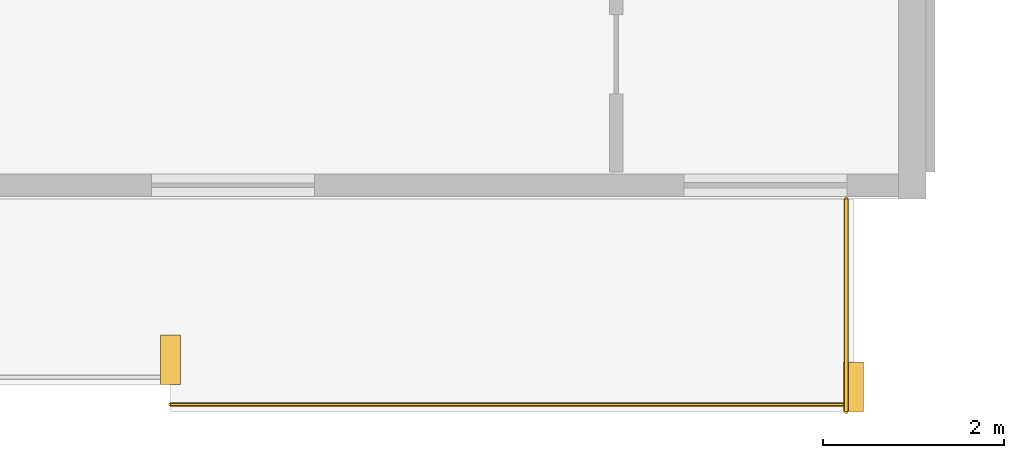
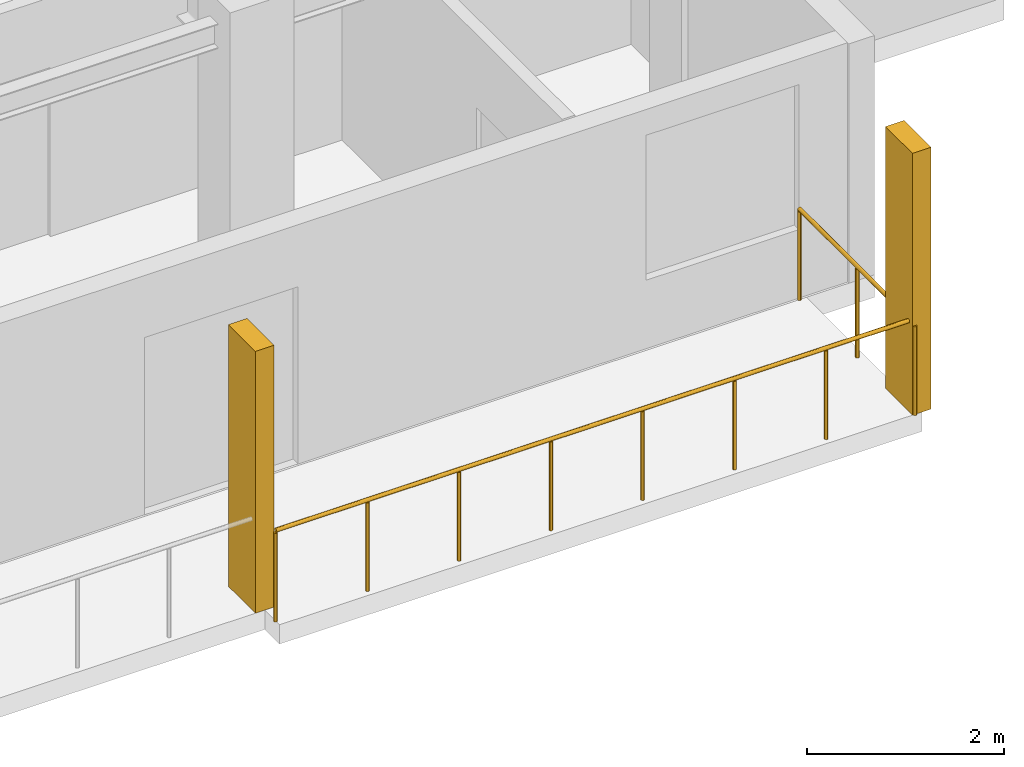
# One storey, part 19 of 21: 2 railings, 2 shading devices.
"""IFC4 building model written with IfcOpenShell, lengths in metres."""

from ifc_helpers import new_model, si_unit, direction, frame, origin, origin_2d, place, context, subcontext, project, spatial, rectangle, circle, extrude, material, type_object, element, save


model = new_model("IFC4")

# Units and contexts
model_context = context("Model", 3, precision=1e-05, world=origin(), true_north=direction((0.0, 1.0)))
body_context = subcontext(model_context, "Body", "Model", "MODEL_VIEW")
ifc_project = project(units=[si_unit("LENGTHUNIT", "METRE"), si_unit("AREAUNIT", "SQUARE_METRE"), si_unit("VOLUMEUNIT", "CUBIC_METRE"), si_unit("PLANEANGLEUNIT", "RADIAN"), si_unit("MASSUNIT", "GRAM", prefix="KILO")], contexts=[model_context])

# Site, building, storey
site_placement = place(None, origin())
site = spatial("IfcSite", under=ifc_project, at=site_placement, CompositionType="ELEMENT")
building_placement = place(site_placement, origin())
building = spatial("IfcBuilding", under=site, at=building_placement, Name="Korimba Cascade Residences", CompositionType="ELEMENT")
storey_placement = place(building_placement, frame((0.0, 0.0, 171.85009765625)))
storey = spatial("IfcBuildingStorey", under=building, at=storey_placement, Name="L49", CompositionType="ELEMENT", Elevation=171.85009765625)

# Railings
ifc_material_1 = material(Name="Laminated Glass and Bronze Balustrade", Category="glass")
railing_type = type_object("IfcRailingType", Name="RLG-LOG-1150", PredefinedType="BALUSTRADE", material=ifc_material_1)
railing_1_placement = place(storey_placement, frame((120.55712890625, -10.070068359375, 0.0)))
element("IfcRailing", 1, at=railing_1_placement, inside=storey, type_object=railing_type, Name="L49 Perimeter Guardrail RLG-L49-T2-LOG-06", PredefinedType="BALUSTRADE", context=body_context, shape_type="SweptSolid", body=[
    extrude(circle(Radius=0.02392578125, at=origin_2d()), frame((0.0, 0.0, 1.1259765625), z_axis=(1.0, 0.0, 0.0), x_axis=(0.0, 1.0, 0.0)), (0.0, 0.0, 1.0), 7.54296875),
    extrude(circle(Radius=0.02099609375, at=origin_2d()), origin(), (0.0, 0.0, 1.0), 1.101806640625),
    extrude(circle(Radius=0.02099609375, at=origin_2d()), frame((1.07763671875, 0.0, 0.0)), (0.0, 0.0, 1.0), 1.101806640625),
    extrude(circle(Radius=0.02099609375, at=origin_2d()), frame((2.155029296875, 0.0, 0.0)), (0.0, 0.0, 1.0), 1.101806640625),
    extrude(circle(Radius=0.02099609375, at=origin_2d()), frame((3.232666015625, 0.0, 0.0)), (0.0, 0.0, 1.0), 1.101806640625),
    extrude(circle(Radius=0.02099609375, at=origin_2d()), frame((4.310302734375, 0.0, 0.0)), (0.0, 0.0, 1.0), 1.101806640625),
    extrude(circle(Radius=0.02099609375, at=origin_2d()), frame((5.387939453125, 0.0, 0.0)), (0.0, 0.0, 1.0), 1.101806640625),
    extrude(circle(Radius=0.02099609375, at=origin_2d()), frame((6.46533203125, 0.0, 0.0)), (0.0, 0.0, 1.0), 1.101806640625),
    extrude(circle(Radius=0.02099609375, at=origin_2d()), frame((7.54296875, 0.0, 0.0)), (0.0, 0.0, 1.0), 1.101806640625),
])
railing_2_placement = place(storey_placement, frame((128.02001953125, -10.14990234375, 0.0)))
element("IfcRailing", 2, at=railing_2_placement, inside=storey, type_object=railing_type, Name="L49 Perimeter Guardrail RLG-L49-T2-LOG-07", PredefinedType="BALUSTRADE", context=body_context, shape_type="SweptSolid", body=[
    extrude(circle(Radius=0.02392578125, at=origin_2d()), frame((0.0, 0.0, 1.1259765625), z_axis=(0.0, 1.0, 0.0), x_axis=(-1.0, 0.0, 0.0)), (0.0, 0.0, 1.0), 2.349853515625),
    extrude(circle(Radius=0.02099609375, at=origin_2d()), origin(), (0.0, 0.0, 1.0), 1.101806640625),
    extrude(circle(Radius=0.02099609375, at=origin_2d()), frame((0.0, 1.1748046875, 0.0)), (0.0, 0.0, 1.0), 1.101806640625),
    extrude(circle(Radius=0.02099609375, at=origin_2d()), frame((0.0, 2.349853515625, 0.0)), (0.0, 0.0, 1.0), 1.101806640625),
])

# Shading devices
ifc_material_2 = material(Name="Honed Sandstone Precast Fin", Category="masonry")
shading_device_type = type_object("IfcShadingDeviceType", Name="SHD-FIN-550", PredefinedType="USERDEFINED", material=ifc_material_2)
for number, where, z_axis, x_axis, name in (
    (3, (120.55712890625, -9.574951171875, 0.0), (0.0, 0.0, 1.0), (1.0, 0.0, 0.0), "L49 T2 Warm-Stone Loggia Fin 7"),
    (4, (128.10009765625, -9.875, 0.0), (0.0, 0.0, 1.0), (1.0, 0.0, 0.0), "L49 T2 Warm-Stone Loggia Fin 8"),
):
    element("IfcShadingDevice", number, at=place(storey_placement, frame(where, z_axis=z_axis, x_axis=x_axis)), inside=storey, type_object=shading_device_type, Name=name, ObjectType="FIN", PredefinedType="USERDEFINED", context=body_context, shape_type="SweptSolid", body=[
        extrude(rectangle(XDim=0.219970703125, YDim=0.550048828125, at=origin_2d()), origin(), (0.0, 0.0, 1.0), 3.25),
    ])

save(model, "model.ifc")
